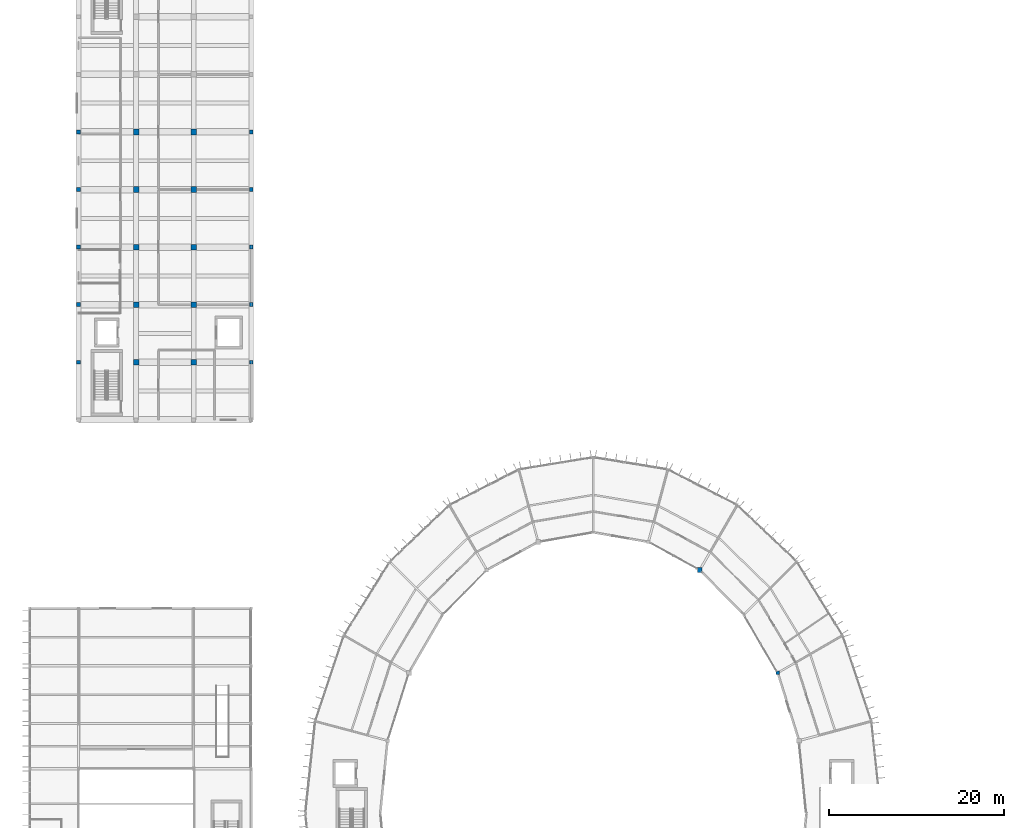
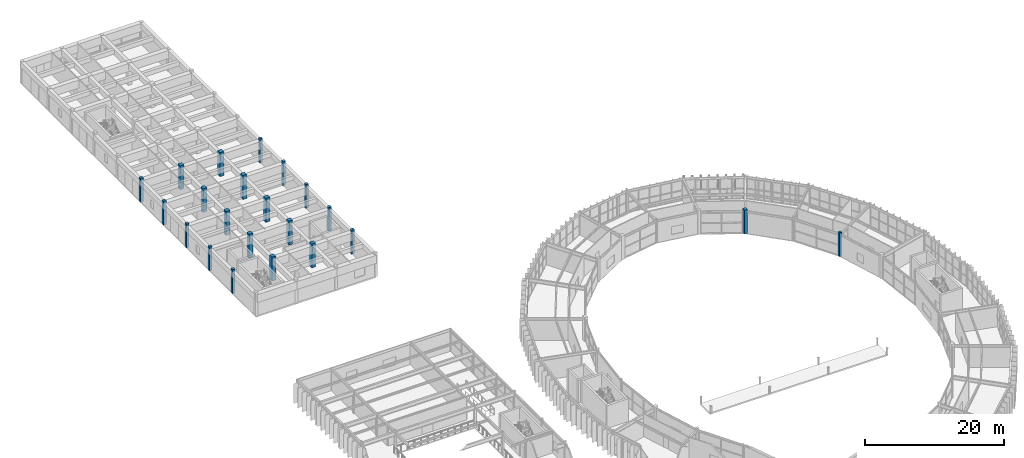
# One storey, part 16 of 157: 22 columns.
"""IFC4 building model written with IfcOpenShell, lengths in metres."""

from ifc_helpers import new_model, si_unit, direction, frame, origin, origin_2d, place, context, subcontext, project, spatial, rectangle, extrude, material, material_profile, profile_set, type_object, element, save


model = new_model("IFC4")

# Units and contexts
model_context = context("Model", 3, precision=1e-05, world=origin(), true_north=direction((0.0, 1.0)))
body_context = subcontext(model_context, "Body", "Model", "MODEL_VIEW")
ifc_project = project(units=[si_unit("LENGTHUNIT", "METRE"), si_unit("AREAUNIT", "SQUARE_METRE"), si_unit("VOLUMEUNIT", "CUBIC_METRE"), si_unit("PLANEANGLEUNIT", "RADIAN"), si_unit("MASSUNIT", "GRAM", prefix="KILO")], contexts=[model_context])

# Site, building, storey
site_placement = place(None, origin())
site = spatial("IfcSite", under=ifc_project, at=site_placement, CompositionType="ELEMENT")
building_placement = place(site_placement, origin())
building = spatial("IfcBuilding", under=site, at=building_placement, Name="Karori Crest Natural Sciences Institute", CompositionType="ELEMENT")
storey_placement = place(building_placement, frame((0.0, 0.0, 13.300048828125)))
storey = spatial("IfcBuildingStorey", under=building, at=storey_placement, Name="L03", CompositionType="ELEMENT", Elevation=13.300048828125)

# Columns
ifc_material = material(Name="Concrete 50 MPa", Category="concrete")
ifc_material_profile_1 = material_profile(ifc_material, rectangle(XDim=0.64990234375, YDim=0.64990234375, at=origin_2d()), Name="RC650x650")
ifc_profile_set_1 = profile_set([ifc_material_profile_1], Name="Concrete 50 MPa")
column_type_1 = type_object("IfcColumnType", Name="CT-19-IL", PredefinedType="COLUMN", material=ifc_profile_set_1)
for number, where, z_axis, x_axis, name in (
    (1, (14.0, 101.60009765625, 0.0), (0.0, 0.0, 1.0), (1.0, 0.0, 0.0), "Column C-0798"),
    (2, (14.0, 108.199951171875, 0.0), (0.0, 0.0, 1.0), (1.0, 0.0, 0.0), "Column C-0806"),
    (3, (14.0, 114.800048828125, 0.0), (0.0, 0.0, 1.0), (1.0, 0.0, 0.0), "Column C-0814"),
    (4, (14.0, 121.39990234375, 0.0), (0.0, 0.0, 1.0), (1.0, 0.0, 0.0), "Column C-0822"),
    (5, (14.0, 128.0, 0.0), (0.0, 0.0, 1.0), (1.0, 0.0, 0.0), "Column C-0829"),
    (6, (20.60009765625, 101.60009765625, 0.0), (0.0, 0.0, 1.0), (1.0, 0.0, 0.0), "Column C-0875"),
    (7, (20.60009765625, 108.199951171875, 0.0), (0.0, 0.0, 1.0), (1.0, 0.0, 0.0), "Column C-0883"),
    (8, (20.60009765625, 114.800048828125, 0.0), (0.0, 0.0, 1.0), (1.0, 0.0, 0.0), "Column C-0891"),
    (9, (20.60009765625, 121.39990234375, 0.0), (0.0, 0.0, 1.0), (1.0, 0.0, 0.0), "Column C-0899"),
    (10, (20.60009765625, 128.0, 0.0), (0.0, 0.0, 1.0), (1.0, 0.0, 0.0), "Column C-0906"),
):
    element("IfcColumn", number, at=place(storey_placement, frame(where, z_axis=z_axis, x_axis=x_axis)), inside=storey, type_object=column_type_1, Name=name, PredefinedType="COLUMN", context=body_context, shape_type="SweptSolid", body=[
        extrude(rectangle(XDim=0.64990234375, YDim=0.64990234375, at=origin_2d()), origin(), (0.0, 0.0, 1.0), 4.199951171875),
    ])
ifc_material_profile_2 = material_profile(ifc_material, rectangle(XDim=0.449951171875, YDim=0.449951171875, at=origin_2d()), Name="RC450x450")
ifc_profile_set_2 = profile_set([ifc_material_profile_2], Name="Concrete 50 MPa")
column_type_2 = type_object("IfcColumnType", Name="CT-23", PredefinedType="PILASTER", material=ifc_profile_set_2)
for number, where, z_axis, x_axis, name in (
    (11, (7.39990234375, 101.60009765625, 0.0), (0.0, 0.0, 1.0), (1.0, 0.0, 0.0), "Column C-0721"),
    (12, (7.39990234375, 108.199951171875, 0.0), (0.0, 0.0, 1.0), (1.0, 0.0, 0.0), "Column C-0729"),
    (13, (7.39990234375, 114.800048828125, 0.0), (0.0, 0.0, 1.0), (1.0, 0.0, 0.0), "Column C-0737"),
    (14, (7.39990234375, 121.39990234375, 0.0), (0.0, 0.0, 1.0), (1.0, 0.0, 0.0), "Column C-0745"),
    (15, (7.39990234375, 128.0, 0.0), (0.0, 0.0, 1.0), (1.0, 0.0, 0.0), "Column C-0752"),
    (16, (27.199951171875, 101.60009765625, 0.0), (0.0, 0.0, 1.0), (1.0, 0.0, 0.0), "Column C-0952"),
    (17, (27.199951171875, 108.199951171875, 0.0), (0.0, 0.0, 1.0), (1.0, 0.0, 0.0), "Column C-0960"),
    (18, (27.199951171875, 114.800048828125, 0.0), (0.0, 0.0, 1.0), (1.0, 0.0, 0.0), "Column C-0968"),
    (19, (27.199951171875, 121.39990234375, 0.0), (0.0, 0.0, 1.0), (1.0, 0.0, 0.0), "Column C-0976"),
    (20, (27.199951171875, 128.0, 0.0), (0.0, 0.0, 1.0), (1.0, 0.0, 0.0), "Column C-0983"),
):
    element("IfcColumn", number, at=place(storey_placement, frame(where, z_axis=z_axis, x_axis=x_axis)), inside=storey, type_object=column_type_2, Name=name, PredefinedType="PILASTER", context=body_context, shape_type="SweptSolid", body=[
        extrude(rectangle(XDim=0.449951171875, YDim=0.449951171875, at=origin_2d()), origin(), (0.0, 0.0, 1.0), 4.199951171875),
    ])
ifc_material_profile_3 = material_profile(ifc_material, rectangle(XDim=0.550048828125, YDim=0.550048828125, at=origin_2d()), Name="RC550x550")
ifc_profile_set_3 = profile_set([ifc_material_profile_3], Name="Concrete 50 MPa")
column_type_3 = type_object("IfcColumnType", Name="CT-30", PredefinedType="COLUMN", material=ifc_profile_set_3)
column_1_placement = place(storey_placement, frame((78.60009765625, 77.785888671875, 0.0), z_axis=(0.0, 0.0, 1.0), x_axis=(1.0, 0.0, 0.0)))
element("IfcColumn", 21, at=column_1_placement, inside=storey, type_object=column_type_3, Name="Column C-0082", PredefinedType="COLUMN", context=body_context, shape_type="SweptSolid", body=[
    extrude(rectangle(XDim=0.550048828125, YDim=0.550048828125, at=origin_2d()), origin(), (0.0, 0.0, 1.0), 4.199951171875),
])
ifc_material_profile_4 = material_profile(ifc_material, rectangle(XDim=0.39990234375, YDim=0.39990234375, at=origin_2d()), Name="RC400x400")
ifc_profile_set_4 = profile_set([ifc_material_profile_4], Name="Concrete 50 MPa")
column_type_4 = type_object("IfcColumnType", Name="CT-31", PredefinedType="PILASTER", material=ifc_profile_set_4)
column_2_placement = place(storey_placement, frame((87.531005859375, 66.0, 0.0), z_axis=(0.0, 0.0, 1.0), x_axis=(1.0, 0.0, 0.0)))
element("IfcColumn", 22, at=column_2_placement, inside=storey, type_object=column_type_4, Name="Column C-0046", PredefinedType="PILASTER", context=body_context, shape_type="SweptSolid", body=[
    extrude(rectangle(XDim=0.39990234375, YDim=0.39990234375, at=origin_2d()), origin(), (0.0, 0.0, 1.0), 4.199951171875),
])

save(model, "model.ifc")
